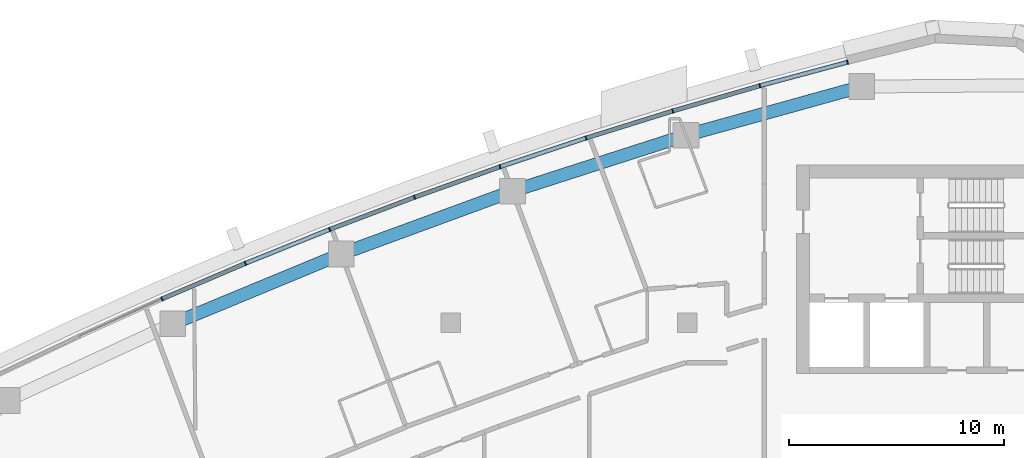
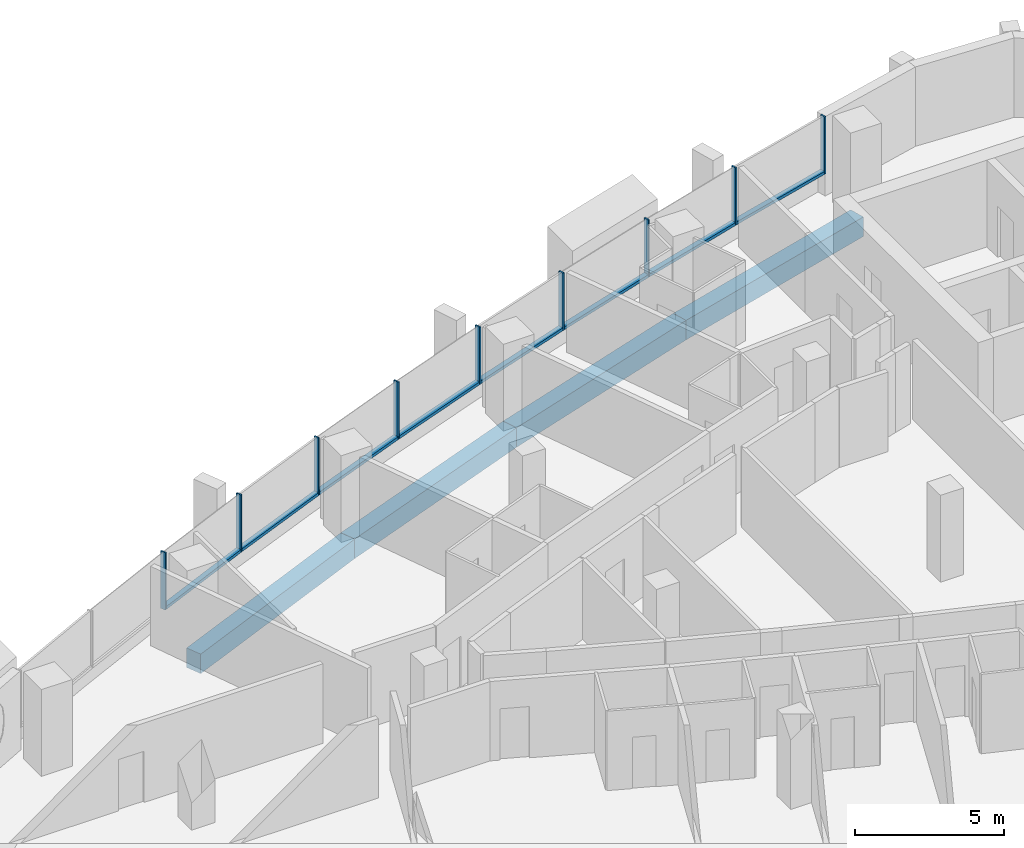
# One storey, part 6 of 16: 17 members, 4 beams, 4 elements without a shape of their own.
"""IFC4 building model written with IfcOpenShell, lengths in metres."""

import ifcopenshell
import ifcopenshell.guid

model = None  # the IFC model being written
_history = None  # IfcOwnerHistory: only IFC2X3 demands one
_inside = {}  # id of a spatial element -> (the spatial element, [elements in it])
_under = {}  # id of a project, library or spatial element -> (it, [spatial elements below it])
_declared = {}  # id of a project -> (the project, [libraries it declares])
_typed = {}  # id of a type object -> (the type object, [elements of that type])
_made_of = {}  # id of a material, layer set ... -> (it, [elements and type objects made of it])


def new_model(schema):
    """Start an empty IFC model of exactly this schema.

    Asked for "IFC4X3", IfcOpenShell would pick the latest addendum, in which some entities
    have other attributes; the version numbers below select the first issue.
    IFC2X3 requires an IfcOwnerHistory on every rooted entity: one is made here for all.
    """
    global model, _history
    if schema == "IFC4X3":
        model = ifcopenshell.file(schema_version=(4, 3, 0, 0))
    else:
        model = ifcopenshell.file(schema=schema)
    _inside.clear()
    _under.clear()
    _declared.clear()
    _typed.clear()
    _made_of.clear()
    _history = None
    if model.schema == "IFC2X3":
        org = make("IfcOrganization", Name="unknown")
        user = make(
            "IfcPersonAndOrganization",
            ThePerson=make("IfcPerson", FamilyName="unknown"),
            TheOrganization=org,
        )
        app = make(
            "IfcApplication",
            ApplicationDeveloper=org,
            Version="unknown",
            ApplicationFullName="unknown",
            ApplicationIdentifier="unknown",
        )
        _history = make(
            "IfcOwnerHistory",
            OwningUser=user,
            OwningApplication=app,
            ChangeAction="ADDED",
            CreationDate=0,
        )
    return model


def make(cls, **values):
    """One entity of the class cls with the attributes given. An attribute that is None is left unset."""
    return model.create_entity(
        cls, **{name: value for name, value in values.items() if value is not None}
    )


def rooted(cls, **values):
    """An entity with a GlobalId (a new one), such as an element, a storey or a relation."""
    return make(cls, GlobalId=ifcopenshell.guid.new(), OwnerHistory=_history, **values)


def si_unit(unit_type, name, prefix=None):
    """IfcSIUnit, for example si_unit("LENGTHUNIT", "METRE", prefix="MILLI")."""
    return make("IfcSIUnit", UnitType=unit_type, Prefix=prefix, Name=name)


def assignment(units):
    """IfcUnitAssignment: the units of a project."""
    return None if units is None else make("IfcUnitAssignment", Units=units)


def point(xyz):
    """IfcCartesianPoint."""
    return None if xyz is None else make("IfcCartesianPoint", Coordinates=xyz)


def direction(xyz):
    """IfcDirection."""
    return None if xyz is None else make("IfcDirection", DirectionRatios=xyz)


def frame(location, z_axis=None, x_axis=None):
    """IfcAxis2Placement3D, a coordinate frame: its origin and axes. An axis left out is left unset."""
    return make(
        "IfcAxis2Placement3D",
        Location=point(location),
        Axis=direction(z_axis),
        RefDirection=direction(x_axis),
    )


def frame_2d(location, x_axis=None):
    """IfcAxis2Placement2D, a coordinate frame in the plane: its origin and x axis."""
    return make(
        "IfcAxis2Placement2D", Location=point(location), RefDirection=direction(x_axis)
    )


def origin():
    """The frame at (0, 0, 0) with its axes left unset."""
    return frame((0.0, 0.0, 0.0))


def origin_2d():
    """The frame at (0, 0) in the plane with its x axis left unset."""
    return frame_2d((0.0, 0.0))


def place(relative_to, where):
    """IfcLocalPlacement: puts the frame where relative to a parent placement (None: the world)."""
    return make(
        "IfcLocalPlacement", PlacementRelTo=relative_to, RelativePlacement=where
    )


def context(
    kind, dimensions, precision=None, world=None, true_north=None, identifier=None
):
    """IfcGeometricRepresentationContext, for example the 3D "Model" context."""
    return make(
        "IfcGeometricRepresentationContext",
        ContextIdentifier=identifier,
        ContextType=kind,
        CoordinateSpaceDimension=dimensions,
        Precision=precision,
        WorldCoordinateSystem=world,
        TrueNorth=true_north,
    )


def subcontext(parent, identifier, kind, view, scale=None):
    """IfcGeometricRepresentationSubContext, for example "Body" below "Model"."""
    return make(
        "IfcGeometricRepresentationSubContext",
        ContextIdentifier=identifier,
        ContextType=kind,
        ParentContext=parent,
        TargetScale=scale,
        TargetView=view,
    )


def project(units=None, contexts=None):
    """IfcProject with its units and contexts."""
    return rooted(
        "IfcProject",
        Name="project",
        RepresentationContexts=contexts,
        UnitsInContext=assignment(units),
    )


def spatial(cls, under=None, at=None, **own):
    """A site, building, storey or space (cls), placed at a placement, below another one or the project."""
    s = rooted(cls, ObjectPlacement=at, **own)
    if under is not None:
        _under.setdefault(under.id(), (under, []))[1].append(s)
    return s


def profile(cls, at=None, kind="AREA", **sizes):
    """A parametric profile (cls). Its sizes go by their IFC names, for example OverallWidth=200.0."""
    return make(cls, ProfileType=kind, Position=at, **sizes)


def rectangle(**sizes):
    """IfcRectangleProfileDef."""
    return profile("IfcRectangleProfileDef", **sizes)


def extrude(swept, where, along, depth):
    """IfcExtrudedAreaSolid: the profile swept, set in the frame where, extruded along a direction by depth."""
    return make(
        "IfcExtrudedAreaSolid",
        SweptArea=swept,
        Position=where,
        ExtrudedDirection=direction(along),
        Depth=depth,
    )


def shape(context_of_items, identifier, shape_type, items):
    """IfcShapeRepresentation: the items that make up one representation, for example the "Body"."""
    return make(
        "IfcShapeRepresentation",
        ContextOfItems=context_of_items,
        RepresentationIdentifier=identifier,
        RepresentationType=shape_type,
        Items=items,
    )


def material(Name=None, Category=None):
    """IfcMaterial."""
    return make("IfcMaterial", Name=Name, Category=Category)


def layer(
    of_material, thickness, ventilated=None, Name=None, Category=None, Priority=None
):
    """IfcMaterialLayer: one layer of a wall or slab, of a material (None: an air gap)."""
    return make(
        "IfcMaterialLayer",
        Material=of_material,
        LayerThickness=thickness,
        IsVentilated=ventilated,
        Name=Name,
        Category=Category,
        Priority=Priority,
    )


def layer_set(layers, Name=None):
    """IfcMaterialLayerSet."""
    return make("IfcMaterialLayerSet", MaterialLayers=layers, LayerSetName=Name)


def material_profile(
    of_material, cross_section, Name=None, Category=None, Priority=None
):
    """IfcMaterialProfile: a cross section and its material."""
    return make(
        "IfcMaterialProfile",
        Name=Name,
        Material=of_material,
        Profile=cross_section,
        Priority=Priority,
        Category=Category,
    )


def profile_set(profiles, Name=None, composite=None):
    """IfcMaterialProfileSet."""
    return make(
        "IfcMaterialProfileSet",
        Name=Name,
        MaterialProfiles=profiles,
        CompositeProfile=composite,
    )


def made_of(thing, what):
    """Note that an element or type object is made of a material, layer set ...; save() writes the relation."""
    if what is not None:
        _made_of.setdefault(what.id(), (what, []))[1].append(thing)
    return thing


def type_object(cls, material=None, **own):
    """A type object (cls), such as IfcWallType, which elements share."""
    return made_of(rooted(cls, **own), material)


def element(
    cls,
    number,
    at=None,
    inside=None,
    cuts=None,
    type_object=None,
    material=None,
    context=None,
    identifier="Body",
    shape_type=None,
    held_by="IfcProductDefinitionShape",
    body=None,
    shapes=None,
    **own,
):
    """One element of the class cls, such as IfcWall. Its Tag is "e" and its number.

    at: its placement. inside: the storey or other place that contains it. cuts: it is an
    opening in that element (IfcRelVoidsElement). A single representation is given by context,
    identifier, shape_type and body (its items); several are given by shapes. held_by: the class
    of the entity that holds the representations. save() writes the other relations.
    """
    e = rooted(cls, Tag="e%d" % number, ObjectPlacement=at, **own)
    if body is not None:
        shapes = [shape(context, identifier, shape_type, body)]
    if shapes is not None:
        e.Representation = make(held_by, Representations=shapes)
    if inside is not None:
        _inside.setdefault(inside.id(), (inside, []))[1].append(e)
    if cuts is not None:
        rooted(
            "IfcRelVoidsElement", RelatingBuildingElement=cuts, RelatedOpeningElement=e
        )
    if type_object is not None:
        _typed.setdefault(type_object.id(), (type_object, []))[1].append(e)
    return made_of(e, material)


def aggregate(whole, parts):
    """IfcRelAggregates: a whole, such as a stair, and the parts it consists of."""
    return rooted("IfcRelAggregates", RelatingObject=whole, RelatedObjects=parts)


def save(model, path):
    """Write the relations noted so far, then the file.

    IfcRelAggregates (storeys below a building ...), IfcRelContainedInSpatialStructure (elements
    in a storey), IfcRelDefinesByType, IfcRelAssociatesMaterial and IfcRelDeclares: one each for
    every whole, place, type object, material and project.
    """
    for whole, parts in _under.values():
        aggregate(whole, parts)
    for where, things in _inside.values():
        rooted(
            "IfcRelContainedInSpatialStructure",
            RelatedElements=things,
            RelatingStructure=where,
        )
    for kind, things in _typed.values():
        rooted("IfcRelDefinesByType", RelatedObjects=things, RelatingType=kind)
    for what, things in _made_of.values():
        rooted("IfcRelAssociatesMaterial", RelatedObjects=things, RelatingMaterial=what)
    for by, libraries in _declared.values():
        rooted("IfcRelDeclares", RelatingContext=by, RelatedDefinitions=libraries)
    model.write(path)


model = new_model("IFC4")

# Units and contexts
model_context = context("Model", 3, precision=1e-05, world=origin(), true_north=direction((0.0, 1.0)))
body_context = subcontext(model_context, "Body", "Model", "MODEL_VIEW")
ifc_project = project(units=[si_unit("LENGTHUNIT", "METRE"), si_unit("AREAUNIT", "SQUARE_METRE"), si_unit("VOLUMEUNIT", "CUBIC_METRE"), si_unit("PLANEANGLEUNIT", "RADIAN"), si_unit("MASSUNIT", "GRAM", prefix="KILO")], contexts=[model_context])

# Site, building, storey
site_placement = place(None, origin())
site = spatial("IfcSite", under=ifc_project, at=site_placement, CompositionType="ELEMENT")
building_placement = place(site_placement, origin())
building = spatial("IfcBuilding", under=site, at=building_placement, Name="Ostrand Prow Hotel Tower", CompositionType="ELEMENT")
storey_placement = place(building_placement, frame((0.0, 0.0, 220.800048828125)))
storey = spatial("IfcBuildingStorey", under=building, at=storey_placement, Name="L55", CompositionType="ELEMENT", Elevation=220.800048828125)

# Beams
ifc_material_1 = material(Name="Concrete C50/60", Category="concrete")
ifc_material_profile_1 = material_profile(ifc_material_1, rectangle(XDim=0.60009765625, YDim=0.800048828125, at=origin_2d()), Name="RC 600x800")
ifc_profile_set_1 = profile_set([ifc_material_profile_1], Name="Concrete C50/60")
beam_type = type_object("IfcBeamType", Name="Edge beam 600x800 C50/60", PredefinedType="SPANDREL", material=ifc_profile_set_1)
for number, where, z_axis, x_axis, name in (
    (1, (53.12548828125, 19.99951171875, -0.699951171875), (-0.963625802813, -0.267255144297, 0.0), (0.267255144297, -0.963625802813, 0.0), "Edge beam N1-N2"),
    (2, (44.94677734375, 17.731201171875, -0.699951171875), (-0.95193933362, -0.306286638798, 0.0), (0.306286638798, -0.95193933362, 0.0), "Edge beam N2-N3"),
    (3, (36.8671875, 15.131591796875, -0.699951171875), (-0.938684959139, -0.344776083113, 0.0), (0.344776083113, -0.938684959139, 0.0), "Edge beam N3-N4"),
    (4, (28.900146484375, 12.205322265625, -0.699951171875), (-0.923890977326, -0.38265580097, 0.0), (0.38265580097, -0.923890977326, 0.0), "Edge beam N4-N5"),
):
    element("IfcBeam", number, at=place(storey_placement, frame(where, z_axis=z_axis, x_axis=x_axis)), inside=storey, type_object=beam_type, Name=name, PredefinedType="SPANDREL", context=body_context, shape_type="SweptSolid", body=[
        extrude(rectangle(XDim=0.60009765625, YDim=0.800048828125, at=origin_2d()), origin(), (0.0, 0.0, 1.0), 8.487548828125),
    ])

# Curtain wall, members
ifc_material_2 = material(Name="Insulated glass in bronze anodised frame", Category="glass")
ifc_layer = layer(ifc_material_2, 0.199951171875)
ifc_layer_set = layer_set([ifc_layer], Name="Insulated glass in bronze anodised frame")
curtain_wall_type = type_object("IfcCurtainWallType", Name="Strip curtain wall, fritted glass over bronze spandrel", PredefinedType="NOTDEFINED", material=ifc_layer_set)
curtain_wall_1_placement = place(storey_placement, origin())
curtain_wall_1 = element("IfcCurtainWall", 5, at=curtain_wall_1_placement, inside=storey, type_object=curtain_wall_type, Name="CW1 run CWN1", PredefinedType="NOTDEFINED")
ifc_material_3 = material(Name="Bronze anodised aluminium", Category="aluminium")
ifc_material_profile_2 = material_profile(ifc_material_3, rectangle(XDim=0.199951171875, YDim=0.06005859375, at=origin_2d()), Name="Mullion 60x200 bronze anodised aluminium")
ifc_profile_set_2 = profile_set([ifc_material_profile_2], Name="Bronze anodised aluminium")
member_type_1 = type_object("IfcMemberType", Name="Mullion 60x200 bronze anodised aluminium", PredefinedType="MULLION", material=ifc_profile_set_2)
member_1_placement = place(storey_placement, frame((52.465576171875, 21.1328125, 0.89990234375), z_axis=(0.0, 0.0, 1.0), x_axis=(0.258994370132, -0.965878831034, 0.0)))
member_1 = element("IfcMember", 6, at=member_1_placement, type_object=member_type_1, Name="CW1 mullion 1", PredefinedType="MULLION", context=body_context, shape_type="SweptSolid", body=[
    extrude(rectangle(XDim=0.199951171875, YDim=0.06005859375, at=origin_2d()), origin(), (0.0, 0.0, 1.0), 2.35009765625),
])
member_2_placement = place(storey_placement, frame((48.385986328125, 20.038818359375, 0.89990234375), z_axis=(0.0, 0.0, 1.0), x_axis=(0.27839270969, -0.960467333745, 0.0)))
member_2 = element("IfcMember", 7, at=member_2_placement, type_object=member_type_1, Name="CW1 mullion 2", PredefinedType="MULLION", context=body_context, shape_type="SweptSolid", body=[
    extrude(rectangle(XDim=0.199951171875, YDim=0.06005859375, at=origin_2d()), origin(), (0.0, 0.0, 1.0), 2.35009765625),
])
member_3_placement = place(storey_placement, frame((44.3291015625, 18.863037109375, 0.89990234375), z_axis=(0.0, 0.0, 1.0), x_axis=(0.27839270969, -0.960467333745, 0.0)))
member_3 = element("IfcMember", 8, at=member_3_placement, type_object=member_type_1, Name="CW1 mullion 3", PredefinedType="MULLION", context=body_context, shape_type="SweptSolid", body=[
    extrude(rectangle(XDim=0.199951171875, YDim=0.06005859375, at=origin_2d()), origin(), (0.0, 0.0, 1.0), 2.35009765625),
])

curtain_wall_2_placement = place(storey_placement, origin())
curtain_wall_2 = element("IfcCurtainWall", 9, at=curtain_wall_2_placement, inside=storey, type_object=curtain_wall_type, Name="CW1 run CWN2", PredefinedType="NOTDEFINED")
member_4_placement = place(storey_placement, frame((40.297119140625, 17.605712890625, 0.89990234375), z_axis=(0.0, 0.0, 1.0), x_axis=(0.31684118017, -0.948478606268, 0.0)))
member_4 = element("IfcMember", 10, at=member_4_placement, type_object=member_type_1, Name="CW1 mullion 2", PredefinedType="MULLION", context=body_context, shape_type="SweptSolid", body=[
    extrude(rectangle(XDim=0.199951171875, YDim=0.06005859375, at=origin_2d()), origin(), (0.0, 0.0, 1.0), 2.35009765625),
])
member_5_placement = place(storey_placement, frame((36.291015625, 16.267578125, 0.89990234375), z_axis=(0.0, 0.0, 1.0), x_axis=(0.31684118017, -0.948478606268, 0.0)))
member_5 = element("IfcMember", 11, at=member_5_placement, type_object=member_type_1, Name="CW1 mullion 3", PredefinedType="MULLION", context=body_context, shape_type="SweptSolid", body=[
    extrude(rectangle(XDim=0.199951171875, YDim=0.06005859375, at=origin_2d()), origin(), (0.0, 0.0, 1.0), 2.35009765625),
])

curtain_wall_3_placement = place(storey_placement, origin())
curtain_wall_3 = element("IfcCurtainWall", 12, at=curtain_wall_3_placement, inside=storey, type_object=curtain_wall_type, Name="CW1 run CWN3", PredefinedType="NOTDEFINED")
member_6_placement = place(storey_placement, frame((32.3125, 14.848876953125, 0.89990234375), z_axis=(0.0, 0.0, 1.0), x_axis=(0.354777361469, -0.934950813567, 0.0)))
member_6 = element("IfcMember", 13, at=member_6_placement, type_object=member_type_1, Name="CW1 mullion 2", PredefinedType="MULLION", context=body_context, shape_type="SweptSolid", body=[
    extrude(rectangle(XDim=0.199951171875, YDim=0.06005859375, at=origin_2d()), origin(), (0.0, 0.0, 1.0), 2.35009765625),
])
member_7_placement = place(storey_placement, frame((28.363525390625, 13.350341796875, 0.89990234375), z_axis=(0.0, 0.0, 1.0), x_axis=(0.354777361469, -0.934950813567, 0.0)))
member_7 = element("IfcMember", 14, at=member_7_placement, type_object=member_type_1, Name="CW1 mullion 3", PredefinedType="MULLION", context=body_context, shape_type="SweptSolid", body=[
    extrude(rectangle(XDim=0.199951171875, YDim=0.06005859375, at=origin_2d()), origin(), (0.0, 0.0, 1.0), 2.35009765625),
])

curtain_wall_4_placement = place(storey_placement, origin())
curtain_wall_4 = element("IfcCurtainWall", 15, at=curtain_wall_4_placement, inside=storey, type_object=curtain_wall_type, Name="CW1 run CWN4", PredefinedType="NOTDEFINED")
member_8_placement = place(storey_placement, frame((24.445556640625, 11.772705078125, 0.89990234375), z_axis=(0.0, 0.0, 1.0), x_axis=(0.392136433347, -0.919907070112, 0.0)))
member_8 = element("IfcMember", 16, at=member_8_placement, type_object=member_type_1, Name="CW1 mullion 2", PredefinedType="MULLION", context=body_context, shape_type="SweptSolid", body=[
    extrude(rectangle(XDim=0.199951171875, YDim=0.06005859375, at=origin_2d()), origin(), (0.0, 0.0, 1.0), 2.35009765625),
])
member_9_placement = place(storey_placement, frame((20.56005859375, 10.116455078125, 0.89990234375), z_axis=(0.0, 0.0, 1.0), x_axis=(0.392136433347, -0.919907070112, 0.0)))
member_9 = element("IfcMember", 17, at=member_9_placement, type_object=member_type_1, Name="CW1 mullion 3", PredefinedType="MULLION", context=body_context, shape_type="SweptSolid", body=[
    extrude(rectangle(XDim=0.199951171875, YDim=0.06005859375, at=origin_2d()), origin(), (0.0, 0.0, 1.0), 2.35009765625),
])

# Member
ifc_material_4 = material(Name="Bronze anodised aluminium", Category="aluminium")
ifc_material_profile_3 = material_profile(ifc_material_4, rectangle(XDim=0.199951171875, YDim=0.1201171875, at=origin_2d()), Name="Transom 120x200 bronze anodised aluminium")
ifc_profile_set_3 = profile_set([ifc_material_profile_3], Name="Bronze anodised aluminium")
member_type_2 = type_object("IfcMemberType", Name="Transom 120x200 bronze anodised aluminium", PredefinedType="USERDEFINED", material=ifc_profile_set_3)
member_10_placement = place(storey_placement, frame((52.4365234375, 21.125, 0.9599609375), z_axis=(-0.96587683346, -0.259001819657, 0.0), x_axis=(0.259001819657, -0.96587683346, 0.0)))
member_10 = element("IfcMember", 18, at=member_10_placement, type_object=member_type_2, Name="CW1 transom 1.1", ObjectType="TRANSOM", PredefinedType="USERDEFINED", context=body_context, shape_type="SweptSolid", body=[
    extrude(rectangle(XDim=0.199951171875, YDim=0.1201171875, at=origin_2d()), origin(), (0.0, 0.0, 1.0), 4.16357421875),
])

member_11_placement = place(storey_placement, frame((48.357177734375, 20.030517578125, 0.9599609375), z_axis=(-0.960468183791, -0.278389776976, 0.0), x_axis=(0.278389776976, -0.960468183791, 0.0)))
member_11 = element("IfcMember", 19, at=member_11_placement, type_object=member_type_2, Name="CW1 transom 2.1", ObjectType="TRANSOM", PredefinedType="USERDEFINED", context=body_context, shape_type="SweptSolid", body=[
    extrude(rectangle(XDim=0.199951171875, YDim=0.1201171875, at=origin_2d()), origin(), (0.0, 0.0, 1.0), 4.163818359375),
])

aggregate(curtain_wall_1, [member_1, member_2, member_3, member_10, member_11])

member_12_placement = place(storey_placement, frame((44.300537109375, 18.85400390625, 0.9599609375), z_axis=(-0.954676966691, -0.297643896746, 0.0), x_axis=(0.297643896746, -0.954676966691, 0.0)))
member_12 = element("IfcMember", 20, at=member_12_placement, type_object=member_type_2, Name="CW1 transom 1.1", ObjectType="TRANSOM", PredefinedType="USERDEFINED", context=body_context, shape_type="SweptSolid", body=[
    extrude(rectangle(XDim=0.199951171875, YDim=0.1201171875, at=origin_2d()), origin(), (0.0, 0.0, 1.0), 4.16357421875),
])

member_13_placement = place(storey_placement, frame((40.2685546875, 17.59619140625, 0.9599609375), z_axis=(-0.948489622939, -0.316808199353, 0.0), x_axis=(0.316808199353, -0.948489622939, 0.0)))
member_13 = element("IfcMember", 21, at=member_13_placement, type_object=member_type_2, Name="CW1 transom 2.1", ObjectType="TRANSOM", PredefinedType="USERDEFINED", context=body_context, shape_type="SweptSolid", body=[
    extrude(rectangle(XDim=0.199951171875, YDim=0.1201171875, at=origin_2d()), origin(), (0.0, 0.0, 1.0), 4.16357421875),
])

aggregate(curtain_wall_2, [member_4, member_5, member_12, member_13])

member_14_placement = place(storey_placement, frame((36.2626953125, 16.25732421875, 0.9599609375), z_axis=(-0.941911594104, -0.335860907061, 0.0), x_axis=(0.335860907061, -0.941911594104, 0.0)))
member_14 = element("IfcMember", 22, at=member_14_placement, type_object=member_type_2, Name="CW1 transom 1.1", ObjectType="TRANSOM", PredefinedType="USERDEFINED", context=body_context, shape_type="SweptSolid", body=[
    extrude(rectangle(XDim=0.199951171875, YDim=0.1201171875, at=origin_2d()), origin(), (0.0, 0.0, 1.0), 4.163818359375),
])

member_15_placement = place(storey_placement, frame((32.284423828125, 14.838134765625, 0.9599609375), z_axis=(-0.934960644813, -0.354751451936, 0.0), x_axis=(0.354751451936, -0.934960644813, 0.0)))
member_15 = element("IfcMember", 23, at=member_15_placement, type_object=member_type_2, Name="CW1 transom 2.1", ObjectType="TRANSOM", PredefinedType="USERDEFINED", context=body_context, shape_type="SweptSolid", body=[
    extrude(rectangle(XDim=0.199951171875, YDim=0.1201171875, at=origin_2d()), origin(), (0.0, 0.0, 1.0), 4.16357421875),
])

aggregate(curtain_wall_3, [member_6, member_7, member_14, member_15])

member_16_placement = place(storey_placement, frame((28.335693359375, 13.339111328125, 0.9599609375), z_axis=(-0.927625049372, -0.373512741119, 0.0), x_axis=(0.373512741119, -0.927625049372, 0.0)))
member_16 = element("IfcMember", 24, at=member_16_placement, type_object=member_type_2, Name="CW1 transom 1.1", ObjectType="TRANSOM", PredefinedType="USERDEFINED", context=body_context, shape_type="SweptSolid", body=[
    extrude(rectangle(XDim=0.199951171875, YDim=0.1201171875, at=origin_2d()), origin(), (0.0, 0.0, 1.0), 4.16357421875),
])

member_17_placement = place(storey_placement, frame((24.41796875, 11.760986328125, 0.9599609375), z_axis=(-0.919904541337, -0.392142365509, 0.0), x_axis=(0.392142365509, -0.919904541337, 0.0)))
member_17 = element("IfcMember", 25, at=member_17_placement, type_object=member_type_2, Name="CW1 transom 2.1", ObjectType="TRANSOM", PredefinedType="USERDEFINED", context=body_context, shape_type="SweptSolid", body=[
    extrude(rectangle(XDim=0.199951171875, YDim=0.1201171875, at=origin_2d()), origin(), (0.0, 0.0, 1.0), 4.163818359375),
])

aggregate(curtain_wall_4, [member_8, member_9, member_16, member_17])

save(model, "model.ifc")
